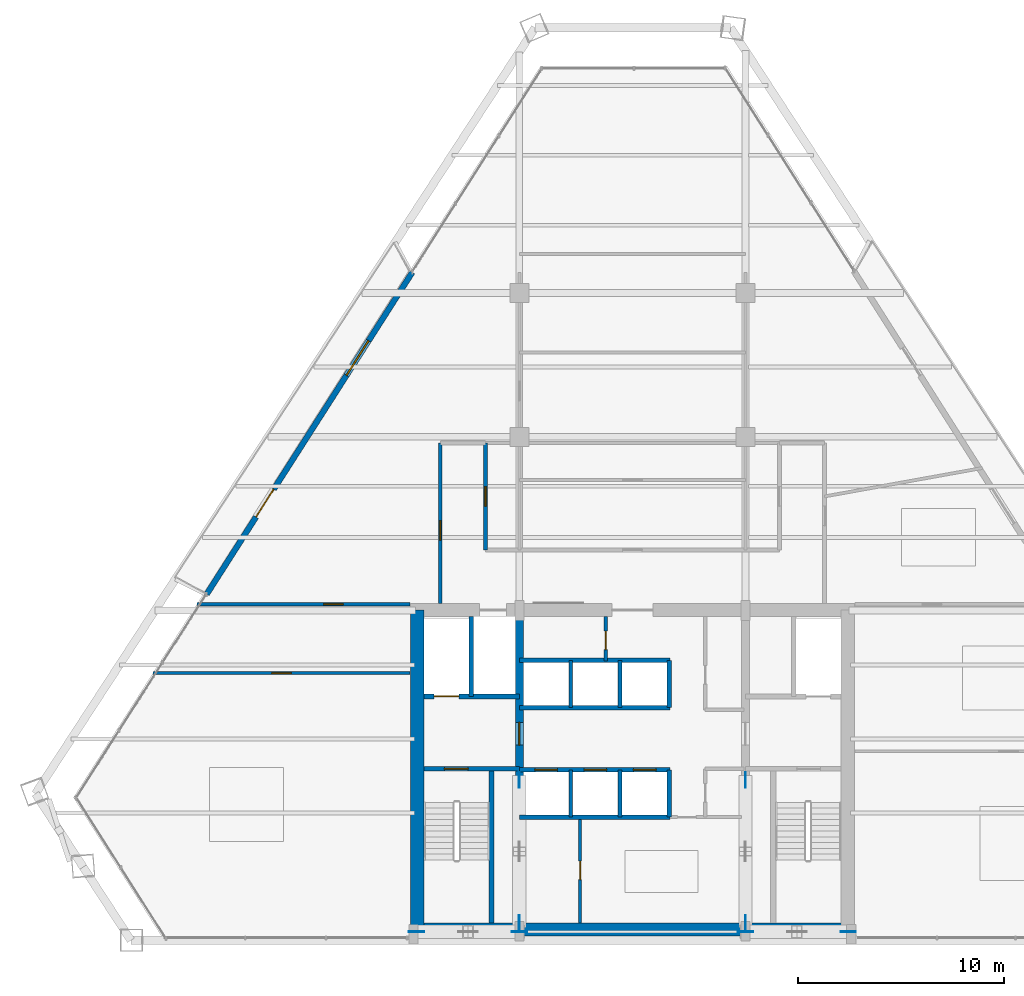
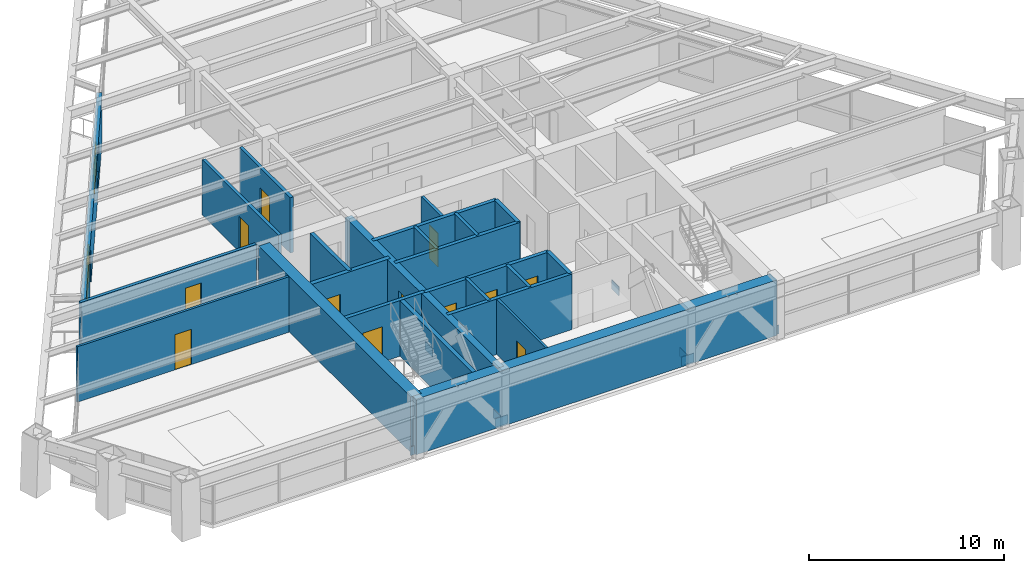
# One storey, part 11 of 15: 24 walls, 13 doors, 8 plates, 1 window, 14 openings.
"""IFC4 building model written with IfcOpenShell, lengths in metres."""

from ifc_helpers import new_model, si_unit, direction, frame, frame_2d, origin, origin_2d, place, context, subcontext, project, spatial, rectangle, extrude, source, transform, mapped, material, layer, layer_set, type_object, type_shapes, element, fill, save


model = new_model("IFC4")

# Units and contexts
model_context = context("Model", 3, precision=1e-05, world=origin(), true_north=direction((0.0, 1.0)))
body_context = subcontext(model_context, "Body", "Model", "MODEL_VIEW")
ifc_project = project(units=[si_unit("LENGTHUNIT", "METRE"), si_unit("AREAUNIT", "SQUARE_METRE"), si_unit("VOLUMEUNIT", "CUBIC_METRE"), si_unit("PLANEANGLEUNIT", "RADIAN"), si_unit("MASSUNIT", "GRAM", prefix="KILO")], contexts=[model_context])

# Site, building, storey
site_placement = place(None, origin())
site = spatial("IfcSite", under=ifc_project, at=site_placement, CompositionType="ELEMENT")
building_placement = place(site_placement, origin())
building = spatial("IfcBuilding", under=site, at=building_placement, Name="Varnakhor Terracotta Tower", CompositionType="ELEMENT")
storey_placement = place(building_placement, frame((0.0, 0.0, 158.89990234375)))
storey = spatial("IfcBuildingStorey", under=building, at=storey_placement, Name="L40", CompositionType="ELEMENT", Elevation=158.89990234375)

# Plates
ifc_material_1 = material(Name="Steel S460", Category="steel")
ifc_layer_1 = layer(ifc_material_1, 0.050048828125, Name="Steel S460")
ifc_layer_set_1 = layer_set([ifc_layer_1], Name="Steel S460")
plate_type = type_object("IfcPlateType", Name="PLT-GUSSET-50", PredefinedType="USERDEFINED", material=ifc_layer_set_1)
shared_shape_1 = source(origin(), body_context, "Body", "SweptSolid", [
    extrude(rectangle(XDim=0.75, YDim=0.0400390625, at=origin_2d()), origin(), (0.0, 0.0, 1.0), 0.550048828125),
])
type_shapes(plate_type, [shared_shape_1])
for number, where, z_axis, x_axis, name in (
    (1, (-10.5, 0.419921875, -0.0947265625), (0.0, 0.0, 1.0), (1.0, 0.0, 0.0), "L40 Core Brace Embed Plate CSWA"),
    (2, (-5.5, 0.419921875, -0.0947265625), (0.0, 0.0, 1.0), (1.0, 0.0, 0.0), "L40 Core Brace Embed Plate CSWB"),
    (3, (5.5, 0.419921875, -0.0947265625), (0.0, 0.0, 1.0), (1.0, 0.0, 0.0), "L40 Core Brace Embed Plate CSEA"),
    (4, (10.5, 0.419921875, -0.0947265625), (0.0, 0.0, 1.0), (1.0, 0.0, 0.0), "L40 Core Brace Embed Plate CSEB"),
    (5, (-5.5, 0.85009765625, -0.0947265625), (0.0, 0.0, 1.0), (0.0, 1.0, 0.0), "L40 Core Brace Embed Plate CWWA"),
    (6, (-5.5, 7.800048828125, -0.0947265625), (0.0, 0.0, 1.0), (0.0, 1.0, 0.0), "L40 Core Brace Embed Plate CWWB"),
    (7, (5.5, 0.85009765625, -0.0947265625), (0.0, 0.0, 1.0), (0.0, 1.0, 0.0), "L40 Core Brace Embed Plate CWEA"),
    (8, (5.5, 7.800048828125, -0.0947265625), (0.0, 0.0, 1.0), (0.0, 1.0, 0.0), "L40 Core Brace Embed Plate CWEB"),
):
    element("IfcPlate", number, at=place(storey_placement, frame(where, z_axis=z_axis, x_axis=x_axis)), inside=storey, type_object=plate_type, Name=name, ObjectType="GUSSET PLATE", PredefinedType="USERDEFINED", context=body_context, shape_type="MappedRepresentation", body=[
        mapped(shared_shape_1, transform((0.0, 0.0, 0.0), scale=1.0)),
    ])

# Walls
ifc_material_2 = material(Name="Concrete C50/60", Category="concrete")
ifc_layer_2 = layer(ifc_material_2, 0.64990234375, Name="Concrete C50/60")
ifc_layer_set_2 = layer_set([ifc_layer_2], Name="Concrete C50/60")
wall_type_1 = type_object("IfcWallType", Name="WAL-CORE-650", PredefinedType="SHEAR", material=ifc_layer_set_2)
wall_1_placement = place(storey_placement, frame((-10.64990234375, 0.52490234375, 0.0), z_axis=(0.0, 0.0, 1.0), x_axis=(1.0, 0.0, 0.0)))
element("IfcWall", 9, at=wall_1_placement, inside=storey, type_object=wall_type_1, Name="L40 South Core Shear Wall", PredefinedType="SHEAR", context=body_context, shape_type="SweptSolid", body=[
    extrude(rectangle(XDim=21.2998046875, YDim=0.64990234375, at=frame_2d((10.64990234375, 0.0))), origin(), (0.0, 0.0, 1.0), 3.47021484375),
])
wall_2_placement = place(storey_placement, frame((-10.47509765625, 0.52490234375, 0.0), z_axis=(0.0, 0.0, 1.0), x_axis=(0.0, 1.0, 0.0)))
element("IfcWall", 10, at=wall_2_placement, inside=storey, type_object=wall_type_1, Name="L40 West Core Shear Wall", PredefinedType="SHEAR", context=body_context, shape_type="SweptSolid", body=[
    extrude(rectangle(XDim=15.550048828125, YDim=0.64990234375, at=frame_2d((7.77490234375, 0.0))), origin(), (0.0, 0.0, 1.0), 3.47021484375),
])

# Wall, opening, door
ifc_layer_3 = layer(ifc_material_2, 0.39990234375, Name="Concrete C50/60")
ifc_layer_set_3 = layer_set([ifc_layer_3], Name="Concrete C50/60")
wall_type_2 = type_object("IfcWallType", Name="WAL-CORE-WEB-400", PredefinedType="SHEAR", material=ifc_layer_set_3)
wall_3_placement = place(storey_placement, frame((-5.5, 0.52490234375, 0.0), z_axis=(0.0, 0.0, 1.0), x_axis=(0.0, 1.0, 0.0)))
wall_3 = element("IfcWall", 11, at=wall_3_placement, inside=storey, type_object=wall_type_2, Name="L40 West Core Web Shear Wall", PredefinedType="SHEAR", context=body_context, shape_type="SweptSolid", body=[
    extrude(rectangle(XDim=15.550048828125, YDim=0.39990234375, at=frame_2d((7.77490234375, 0.0))), origin(), (0.0, 0.0, 1.0), 3.47021484375),
])
opening_1_placement = place(wall_3_placement, frame((8.97509765625, 0.0, 0.0)))
opening_1 = element("IfcOpeningElement", 12, at=opening_1_placement, cuts=wall_3, Name="Opening DR-25", PredefinedType="OPENING", context=body_context, shape_type="SweptSolid", body=[
    extrude(rectangle(XDim=1.10009765625, YDim=2.199951171875, at=frame_2d((0.550048828125, 1.10009765625))), frame((0.0, 0.2099609375, 0.0), z_axis=(0.0, -1.0, 0.0), x_axis=(1.0, 0.0, 0.0)), (0.0, 0.0, 1.0), 0.419921875),
])
ifc_material_3 = material(Name="Firefighting Lobby Self-Closing Fire Door", Category="steel")
door_type_1 = type_object("IfcDoorType", Name="DR-FFL-1100X2200", OperationType="NOTDEFINED", PredefinedType="DOOR", material=ifc_material_3)
shared_shape_2 = source(origin(), body_context, "Body", "SweptSolid", [
    extrude(rectangle(XDim=1.10009765625, YDim=2.199951171875, at=frame_2d((0.550048828125, 1.10009765625))), frame((0.0, 0.02490234375, 0.0), z_axis=(0.0, -1.0, 0.0), x_axis=(1.0, 0.0, 0.0)), (0.0, 0.0, 1.0), 0.050048828125),
])
type_shapes(door_type_1, [shared_shape_2])
door_1_placement = place(opening_1_placement, origin())
door_1 = element("IfcDoor", 13, at=door_1_placement, inside=storey, type_object=door_type_1, Name="L40 West Firefighting Lobby Door", OperationType="SINGLE_SWING_RIGHT", OverallHeight=2.199951171875, OverallWidth=1.10009765625, PredefinedType="DOOR", context=body_context, shape_type="MappedRepresentation", body=[
    mapped(shared_shape_2, transform((0.0, 0.0, 0.0), scale=1.0)),
])
fill(opening_1, door_1)

ifc_material_4 = material(Name="Fire-Rated Gypsum Stud Partition", Category="gypsum")
ifc_layer_4 = layer(ifc_material_4, 0.18505859375, Name="Fire-Rated Gypsum Stud Partition")
ifc_layer_set_4 = layer_set([ifc_layer_4], Name="Fire-Rated Gypsum Stud Partition")
wall_type_3 = type_object("IfcWallType", Name="WAL-CORR-185", PredefinedType="PARTITIONING", material=ifc_layer_set_4)
wall_4_placement = place(storey_placement, frame((-7.14990234375, 19.0, 0.0), z_axis=(0.0, 0.0, 1.0), x_axis=(0.0, 1.0, 0.0)))
wall_4 = element("IfcWall", 14, at=wall_4_placement, inside=storey, type_object=wall_type_3, Name="L40 West Gallery Inner Wall", PredefinedType="PARTITIONING", context=body_context, shape_type="SweptSolid", body=[
    extrude(rectangle(XDim=5.199951171875, YDim=0.18505859375, at=frame_2d((2.60009765625, 0.0))), origin(), (0.0, 0.0, 1.0), 3.462158203125),
])
opening_2_placement = place(wall_4_placement, frame((2.125, 0.0, 0.0)))
opening_2 = element("IfcOpeningElement", 15, at=opening_2_placement, cuts=wall_4, Name="Opening DR-94", PredefinedType="OPENING", context=body_context, shape_type="SweptSolid", body=[
    extrude(rectangle(XDim=0.949951171875, YDim=2.199951171875, at=frame_2d((0.47509765625, 1.10009765625))), frame((0.0, 0.1025390625, 0.0), z_axis=(0.0, -1.0, 0.0), x_axis=(1.0, 0.0, 0.0)), (0.0, 0.0, 1.0), 0.205078125),
])
ifc_material_5 = material(Name="Acoustic Glazed-Vision Timber Office Door", Category="wood")
door_type_2 = type_object("IfcDoorType", Name="DR-OFF-950X2200", OperationType="NOTDEFINED", PredefinedType="DOOR", material=ifc_material_5)
shared_shape_3 = source(origin(), body_context, "Body", "SweptSolid", [
    extrude(rectangle(XDim=0.949951171875, YDim=2.199951171875, at=frame_2d((0.47509765625, 1.10009765625))), frame((0.0, 0.02490234375, 0.0), z_axis=(0.0, -1.0, 0.0), x_axis=(1.0, 0.0, 0.0)), (0.0, 0.0, 1.0), 0.050048828125),
])
type_shapes(door_type_2, [shared_shape_3])
door_2_placement = place(opening_2_placement, origin())
door_2 = element("IfcDoor", 16, at=door_2_placement, inside=storey, type_object=door_type_2, Name="L40 Games Amenity Room B8 Door", OperationType="SINGLE_SWING_LEFT", OverallHeight=2.199951171875, OverallWidth=0.949951171875, PredefinedType="DOOR", context=body_context, shape_type="MappedRepresentation", body=[
    mapped(shared_shape_3, transform((0.0, 0.0, 0.0), scale=1.0)),
])
fill(opening_2, door_2)

wall_5_placement = place(storey_placement, frame((-9.35009765625, 16.39990234375, 0.0), z_axis=(0.0, 0.0, 1.0), x_axis=(0.0, 1.0, 0.0)))
wall_5 = element("IfcWall", 17, at=wall_5_placement, inside=storey, type_object=wall_type_3, Name="L40 West Gallery Outer Wall", PredefinedType="PARTITIONING", context=body_context, shape_type="SweptSolid", body=[
    extrude(rectangle(XDim=7.800048828125, YDim=0.18505859375, at=frame_2d((3.89990234375, 0.0))), origin(), (0.0, 0.0, 1.0), 3.462158203125),
])
opening_3_placement = place(wall_5_placement, frame((3.069091796875, 0.0, 0.0)))
opening_3 = element("IfcOpeningElement", 18, at=opening_3_placement, cuts=wall_5, Name="Opening DR-94", PredefinedType="OPENING", context=body_context, shape_type="SweptSolid", body=[
    extrude(rectangle(XDim=0.949951171875, YDim=2.199951171875, at=frame_2d((0.47509765625, 1.10009765625))), frame((0.0, 0.1025390625, 0.0), z_axis=(0.0, -1.0, 0.0), x_axis=(1.0, 0.0, 0.0)), (0.0, 0.0, 1.0), 0.205078125),
])
door_3_placement = place(opening_3_placement, origin())
door_3 = element("IfcDoor", 19, at=door_3_placement, inside=storey, type_object=door_type_2, Name="L40 West Wing Door", OperationType="SINGLE_SWING_LEFT", OverallHeight=2.199951171875, OverallWidth=0.949951171875, PredefinedType="DOOR", context=body_context, shape_type="MappedRepresentation", body=[
    mapped(shared_shape_3, transform((0.0, 0.0, 0.0), scale=1.0)),
])
fill(opening_3, door_3)

wall_6_placement = place(storey_placement, frame((-21.18603515625, 16.35009765625, 0.0), z_axis=(0.0, 0.0, 1.0), x_axis=(1.0, 0.0, 0.0)))
wall_6 = element("IfcWall", 20, at=wall_6_placement, inside=storey, type_object=wall_type_3, Name="L40 South West Entry Wall", PredefinedType="PARTITIONING", context=body_context, shape_type="SweptSolid", body=[
    extrude(rectangle(XDim=10.365966796875, YDim=0.18505859375, at=frame_2d((5.18310546875, 0.0))), origin(), (0.0, 0.0, 1.0), 3.462158203125),
])
opening_4_placement = place(wall_6_placement, frame((6.160888671875, 0.0, 0.0)))
opening_4 = element("IfcOpeningElement", 21, at=opening_4_placement, cuts=wall_6, Name="Opening DR-94", PredefinedType="OPENING", context=body_context, shape_type="SweptSolid", body=[
    extrude(rectangle(XDim=0.949951171875, YDim=2.199951171875, at=frame_2d((0.47509765625, 1.10009765625))), frame((0.0, 0.1025390625, 0.0), z_axis=(0.0, -1.0, 0.0), x_axis=(1.0, 0.0, 0.0)), (0.0, 0.0, 1.0), 0.205078125),
])
door_4_placement = place(opening_4_placement, origin())
door_4 = element("IfcDoor", 22, at=door_4_placement, inside=storey, type_object=door_type_2, Name="L40 SW Suite Door", OperationType="SINGLE_SWING_LEFT", OverallHeight=2.199951171875, OverallWidth=0.949951171875, PredefinedType="DOOR", context=body_context, shape_type="MappedRepresentation", body=[
    mapped(shared_shape_3, transform((0.0, 0.0, 0.0), scale=1.0)),
])
fill(opening_4, door_4)

# Wall, openings, door, window
ifc_material_6 = material(Name="Extruded Architectural Terracotta Assembly", Category="masonry")
ifc_layer_5 = layer(ifc_material_6, 0.280029296875, Name="Extruded Architectural Terracotta Assembly")
ifc_layer_set_5 = layer_set([ifc_layer_5], Name="Extruded Architectural Terracotta Assembly")
wall_type_4 = type_object("IfcWallType", Name="WAL-EXT-TERRACOTTA-280", PredefinedType="SOLIDWALL", material=ifc_layer_set_5)
wall_7_placement = place(storey_placement, frame((-20.7177734375, 16.841796875, 0.0), z_axis=(0.0, 0.0, 1.0), x_axis=(0.538291588768, 0.842758663831, 0.0)))
wall_7 = element("IfcWall", 23, at=wall_7_placement, inside=storey, type_object=wall_type_4, Name="L40 W Loggia Insulated Terracotta Wall", PredefinedType="SOLIDWALL", context=body_context, shape_type="SweptSolid", body=[
    extrude(rectangle(XDim=18.58642578125, YDim=0.280029296875, at=frame_2d((9.293212890625, 0.0))), origin(), (0.0, 0.0, 1.0), 3.050048828125),
])
opening_5_placement = place(wall_7_placement, frame((4.460693359375, 0.0, 0.0)))
opening_5 = element("IfcOpeningElement", 24, at=opening_5_placement, cuts=wall_7, Name="Opening DR-62", PredefinedType="OPENING", context=body_context, shape_type="SweptSolid", body=[
    extrude(rectangle(XDim=1.60009765625, YDim=2.35009765625, at=frame_2d((0.800048828125, 1.175048828125))), frame((0.0, 0.14990234375, 0.0), z_axis=(0.0, -1.0, 0.0), x_axis=(1.0, 0.0, 0.0)), (0.0, 0.0, 1.0), 0.300048828125),
])
opening_6_placement = place(wall_7_placement, frame((12.638916015625, 0.0, 0.89990234375)))
opening_6 = element("IfcOpeningElement", 25, at=opening_6_placement, cuts=wall_7, Name="Opening WN-26", PredefinedType="OPENING", context=body_context, shape_type="SweptSolid", body=[
    extrude(rectangle(XDim=2.0, YDim=1.85009765625, at=frame_2d((1.0, 0.925048828125))), frame((0.0, 0.14990234375, 0.0), z_axis=(0.0, -1.0, 0.0), x_axis=(1.0, 0.0, 0.0)), (0.0, 0.0, 1.0), 0.300048828125),
])
ifc_material_7 = material(Name="Thermally Broken Sliding Glass Loggia Door", Category="glass")
door_type_3 = type_object("IfcDoorType", Name="DR-EXT-LOGGIA-1600X2350", OperationType="NOTDEFINED", PredefinedType="DOOR", material=ifc_material_7)
shared_shape_4 = source(origin(), body_context, "Body", "SweptSolid", [
    extrude(rectangle(XDim=1.60009765625, YDim=2.35009765625, at=frame_2d((0.800048828125, 1.175048828125))), frame((0.0, 0.02490234375, 0.0), z_axis=(0.0, -1.0, 0.0), x_axis=(1.0, 0.0, 0.0)), (0.0, 0.0, 1.0), 0.050048828125),
])
type_shapes(door_type_3, [shared_shape_4])
door_5_placement = place(opening_5_placement, origin())
door_5 = element("IfcDoor", 26, at=door_5_placement, inside=storey, type_object=door_type_3, Name="L40 W Recessed Loggia Sliding Door", OperationType="SLIDING_TO_LEFT", OverallHeight=2.35009765625, OverallWidth=1.60009765625, PredefinedType="DOOR", context=body_context, shape_type="MappedRepresentation", body=[
    mapped(shared_shape_4, transform((0.0, 0.0, 0.0), scale=1.0)),
])
fill(opening_5, door_5)
ifc_material_8 = material(Name="Solar-Control Low-E Insulated Glass Unit", Category="glass")
window_type = type_object("IfcWindowType", Name="WIN-OFF-2200X2100", PartitioningType="SINGLE_PANEL", PredefinedType="WINDOW", material=ifc_material_8)
shared_shape_5 = source(origin(), body_context, "Body", "SweptSolid", [
    extrude(rectangle(XDim=2.0, YDim=1.85009765625, at=frame_2d((1.0, 0.925048828125))), frame((0.0, 0.030029296875, 0.0), z_axis=(0.0, -1.0, 0.0), x_axis=(1.0, 0.0, 0.0)), (0.0, 0.0, 1.0), 0.06005859375),
])
type_shapes(window_type, [shared_shape_5])
window_placement = place(opening_6_placement, origin())
window = element("IfcWindow", 27, at=window_placement, inside=storey, type_object=window_type, Name="L40 W Facet Punched Window", OverallHeight=1.85009765625, OverallWidth=2.0, PartitioningType="SINGLE_PANEL", PredefinedType="WINDOW", context=body_context, shape_type="MappedRepresentation", body=[
    mapped(shared_shape_5, transform((0.0, 0.0, 0.0), scale=1.0)),
])
fill(opening_6, window)

# Wall, opening, door
ifc_material_9 = material(Name="Concrete C40/50", Category="concrete")
ifc_layer_6 = layer(ifc_material_9, 0.219970703125, Name="Concrete C40/50")
ifc_layer_set_6 = layer_set([ifc_layer_6], Name="Concrete C40/50")
wall_type_5 = type_object("IfcWallType", Name="WAL-FFLOBBY-220", PredefinedType="SOLIDWALL", material=ifc_layer_set_6)
wall_8_placement = place(storey_placement, frame((-5.5, 8.35009765625, 0.0), z_axis=(0.0, 0.0, 1.0), x_axis=(-1.0, 0.0, 0.0)))
wall_8 = element("IfcWall", 28, at=wall_8_placement, inside=storey, type_object=wall_type_5, Name="L40 West Firefighting Lobby Stair Wall", PredefinedType="SOLIDWALL", context=body_context, shape_type="SweptSolid", body=[
    extrude(rectangle(XDim=4.64990234375, YDim=0.219970703125, at=frame_2d((2.324951171875, 0.0))), origin(), (0.0, 0.0, 1.0), 3.47021484375),
])
opening_7_placement = place(wall_8_placement, frame((2.5, 0.0, 0.0)))
opening_7 = element("IfcOpeningElement", 29, at=opening_7_placement, cuts=wall_8, Name="Opening DR-34", PredefinedType="OPENING", context=body_context, shape_type="SweptSolid", body=[
    extrude(rectangle(XDim=1.14990234375, YDim=2.199951171875, at=frame_2d((0.574951171875, 1.10009765625))), frame((0.0, 0.1201171875, 0.0), z_axis=(0.0, -1.0, 0.0), x_axis=(1.0, 0.0, 0.0)), (0.0, 0.0, 1.0), 0.239990234375),
])
ifc_material_10 = material(Name="Self-Closing Smoke-Sealed Steel Fire Door", Category="steel")
door_type_4 = type_object("IfcDoorType", Name="DR-STAIR-1150X2200", OperationType="NOTDEFINED", PredefinedType="DOOR", material=ifc_material_10)
shared_shape_6 = source(origin(), body_context, "Body", "SweptSolid", [
    extrude(rectangle(XDim=1.14990234375, YDim=2.199951171875, at=frame_2d((0.574951171875, 1.10009765625))), frame((0.0, 0.02490234375, 0.0), z_axis=(0.0, -1.0, 0.0), x_axis=(1.0, 0.0, 0.0)), (0.0, 0.0, 1.0), 0.050048828125),
])
type_shapes(door_type_4, [shared_shape_6])
door_6_placement = place(opening_7_placement, origin())
door_6 = element("IfcDoor", 30, at=door_6_placement, inside=storey, type_object=door_type_4, Name="L40 Exit Stair ST-1 Fire Door", OperationType="SINGLE_SWING_LEFT", OverallHeight=2.199951171875, OverallWidth=1.14990234375, PredefinedType="DOOR", context=body_context, shape_type="MappedRepresentation", body=[
    mapped(shared_shape_6, transform((0.0, 0.0, 0.0), scale=1.0)),
])
fill(opening_7, door_6)

ifc_material_11 = material(Name="Acoustic Metal-Stud Partition", Category="gypsum")
ifc_layer_7 = layer(ifc_material_11, 0.139892578125, Name="Acoustic Metal-Stud Partition")
ifc_layer_set_7 = layer_set([ifc_layer_7], Name="Acoustic Metal-Stud Partition")
wall_type_6 = type_object("IfcWallType", Name="WAL-PART-140", PredefinedType="PARTITIONING", material=ifc_layer_set_7)
wall_9_placement = place(storey_placement, frame((-23.325927734375, 13.0, 0.0), z_axis=(0.0, 0.0, 1.0), x_axis=(1.0, 0.0, 0.0)))
wall_9 = element("IfcWall", 31, at=wall_9_placement, inside=storey, type_object=wall_type_6, Name="L40 West Wing Cut 1", PredefinedType="PARTITIONING", context=body_context, shape_type="SweptSolid", body=[
    extrude(rectangle(XDim=12.505859375, YDim=0.139892578125, at=frame_2d((6.2529296875, 0.0))), origin(), (0.0, 0.0, 1.0), 3.462158203125),
])
opening_8_placement = place(wall_9_placement, frame((5.785888671875, 0.0, 0.0)))
opening_8 = element("IfcOpeningElement", 32, at=opening_8_placement, cuts=wall_9, Name="Opening DR-94", PredefinedType="OPENING", context=body_context, shape_type="SweptSolid", body=[
    extrude(rectangle(XDim=0.949951171875, YDim=2.199951171875, at=frame_2d((0.47509765625, 1.10009765625))), frame((0.0, 0.080078125, 0.0), z_axis=(0.0, -1.0, 0.0), x_axis=(1.0, 0.0, 0.0)), (0.0, 0.0, 1.0), 0.159912109375),
])
door_7_placement = place(opening_8_placement, origin())
door_7 = element("IfcDoor", 33, at=door_7_placement, inside=storey, type_object=door_type_2, Name="L40 Clinic First Aid Room Door", OperationType="SINGLE_SWING_RIGHT", OverallHeight=2.199951171875, OverallWidth=0.949951171875, PredefinedType="DOOR", context=body_context, shape_type="MappedRepresentation", body=[
    mapped(shared_shape_3, transform((0.0, 0.0, 0.0), scale=1.0)),
])
fill(opening_8, door_7)

# Walls
ifc_layer_8 = layer(ifc_material_9, 0.179931640625, Name="Concrete C40/50")
ifc_layer_set_8 = layer_set([ifc_layer_8], Name="Concrete C40/50")
wall_type_7 = type_object("IfcWallType", Name="WAL-SHAFT-180", PredefinedType="SOLIDWALL", material=ifc_layer_set_8)
for number, where, z_axis, x_axis, name in (
    (34, (-3.0, 6.0, 0.0), (0.0, 0.0, 1.0), (0.0, 1.0, 0.0), "L40 PL-2A Divider"),
    (35, (-0.60009765625, 6.0, 0.0), (0.0, 0.0, 1.0), (0.0, 1.0, 0.0), "L40 PL-2B Divider"),
    (36, (-3.0, 11.320068359375, 0.0), (0.0, 0.0, 1.0), (0.0, 1.0, 0.0), "L40 PL-3A Divider"),
    (37, (-0.60009765625, 11.320068359375, 0.0), (0.0, 0.0, 1.0), (0.0, 1.0, 0.0), "L40 PL-3B Divider"),
):
    element("IfcWall", number, at=place(storey_placement, frame(where, z_axis=z_axis, x_axis=x_axis)), inside=storey, type_object=wall_type_7, Name=name, PredefinedType="SOLIDWALL", context=body_context, shape_type="SweptSolid", body=[
        extrude(rectangle(XDim=2.300048828125, YDim=0.179931640625, at=frame_2d((1.14990234375, 0.0))), origin(), (0.0, 0.0, 1.0), 3.47021484375),
    ])
ifc_layer_9 = layer(ifc_material_9, 0.219970703125, Name="Concrete C40/50")
ifc_layer_set_9 = layer_set([ifc_layer_9], Name="Concrete C40/50")
wall_type_8 = type_object("IfcWallType", Name="WAL-SHAFT-220", PredefinedType="SOLIDWALL", material=ifc_layer_set_9)
wall_10_placement = place(storey_placement, frame((-7.840087890625, 11.8701171875, 0.0), z_axis=(0.0, 0.0, 1.0), x_axis=(0.0, 1.0, 0.0)))
element("IfcWall", 38, at=wall_10_placement, inside=storey, type_object=wall_type_8, Name="L40 Lift FFL-1 and SVL-1 Divider Wall", PredefinedType="SOLIDWALL", context=body_context, shape_type="SweptSolid", body=[
    extrude(rectangle(XDim=3.8798828125, YDim=0.219970703125, at=frame_2d((1.93994140625, 0.0))), origin(), (0.0, 0.0, 1.0), 3.47021484375),
])
wall_11_placement = place(storey_placement, frame((-5.5, 6.0, 0.0), z_axis=(0.0, 0.0, 1.0), x_axis=(1.0, 0.0, 0.0)))
element("IfcWall", 39, at=wall_11_placement, inside=storey, type_object=wall_type_8, Name="L40 Bank 2 South Shaft Wall", PredefinedType="SOLIDWALL", context=body_context, shape_type="SweptSolid", body=[
    extrude(rectangle(XDim=7.320068359375, YDim=0.219970703125, at=frame_2d((3.66015625, 0.0))), origin(), (0.0, 0.0, 1.0), 3.47021484375),
])

# Wall, openings, doors
wall_12_placement = place(storey_placement, frame((-5.5, 8.300048828125, 0.0), z_axis=(0.0, 0.0, 1.0), x_axis=(1.0, 0.0, 0.0)))
wall_12 = element("IfcWall", 40, at=wall_12_placement, inside=storey, type_object=wall_type_8, Name="L40 Bank 2 North Shaft Wall", PredefinedType="SOLIDWALL", context=body_context, shape_type="SweptSolid", body=[
    extrude(rectangle(XDim=7.320068359375, YDim=0.219970703125, at=frame_2d((3.66015625, 0.0))), origin(), (0.0, 0.0, 1.0), 3.47021484375),
])
opening_9_placement = place(wall_12_placement, frame((0.75, 0.0, 0.0)))
opening_9 = element("IfcOpeningElement", 41, at=opening_9_placement, cuts=wall_12, Name="Opening LD-01", PredefinedType="OPENING", context=body_context, shape_type="SweptSolid", body=[
    extrude(rectangle(XDim=1.10009765625, YDim=2.199951171875, at=frame_2d((0.550048828125, 1.10009765625))), frame((0.0, 0.1201171875, 0.0), z_axis=(0.0, -1.0, 0.0), x_axis=(1.0, 0.0, 0.0)), (0.0, 0.0, 1.0), 0.239990234375),
])
opening_10_placement = place(wall_12_placement, frame((3.14990234375, 0.0, 0.0)))
opening_10 = element("IfcOpeningElement", 42, at=opening_10_placement, cuts=wall_12, Name="Opening LD-01", PredefinedType="OPENING", context=body_context, shape_type="SweptSolid", body=[
    extrude(rectangle(XDim=1.10009765625, YDim=2.199951171875, at=frame_2d((0.550048828125, 1.10009765625))), frame((0.0, 0.1201171875, 0.0), z_axis=(0.0, -1.0, 0.0), x_axis=(1.0, 0.0, 0.0)), (0.0, 0.0, 1.0), 0.239990234375),
])
opening_11_placement = place(wall_12_placement, frame((5.550048828125, 0.0, 0.0)))
opening_11 = element("IfcOpeningElement", 43, at=opening_11_placement, cuts=wall_12, Name="Opening LD-01", PredefinedType="OPENING", context=body_context, shape_type="SweptSolid", body=[
    extrude(rectangle(XDim=1.10009765625, YDim=2.199951171875, at=frame_2d((0.550048828125, 1.10009765625))), frame((0.0, 0.1201171875, 0.0), z_axis=(0.0, -1.0, 0.0), x_axis=(1.0, 0.0, 0.0)), (0.0, 0.0, 1.0), 0.239990234375),
])
ifc_material_12 = material(Name="Brushed Stainless Steel Sliding Lift Landing Door", Category="steel")
door_type_5 = type_object("IfcDoorType", Name="LD-PASS-1100X2200", OperationType="NOTDEFINED", PredefinedType="DOOR", material=ifc_material_12)
shared_shape_7 = source(origin(), body_context, "Body", "SweptSolid", [
    extrude(rectangle(XDim=1.10009765625, YDim=2.199951171875, at=frame_2d((0.550048828125, 1.10009765625))), frame((0.0, 0.02490234375, 0.0), z_axis=(0.0, -1.0, 0.0), x_axis=(1.0, 0.0, 0.0)), (0.0, 0.0, 1.0), 0.050048828125),
])
type_shapes(door_type_5, [shared_shape_7])
door_8_placement = place(opening_9_placement, origin())
door_8 = element("IfcDoor", 44, at=door_8_placement, inside=storey, type_object=door_type_5, Name="L40 Passenger Lift PL-2A Landing Door", OperationType="SLIDING_TO_LEFT", OverallHeight=2.199951171875, OverallWidth=1.10009765625, PredefinedType="DOOR", context=body_context, shape_type="MappedRepresentation", body=[
    mapped(shared_shape_7, transform((0.0, 0.0, 0.0), scale=1.0)),
])
fill(opening_9, door_8)
door_9_placement = place(opening_10_placement, origin())
door_9 = element("IfcDoor", 45, at=door_9_placement, inside=storey, type_object=door_type_5, Name="L40 Passenger Lift PL-2B Landing Door", OperationType="SLIDING_TO_LEFT", OverallHeight=2.199951171875, OverallWidth=1.10009765625, PredefinedType="DOOR", context=body_context, shape_type="MappedRepresentation", body=[
    mapped(shared_shape_7, transform((0.0, 0.0, 0.0), scale=1.0)),
])
fill(opening_10, door_9)
door_10_placement = place(opening_11_placement, origin())
door_10 = element("IfcDoor", 46, at=door_10_placement, inside=storey, type_object=door_type_5, Name="L40 Passenger Lift PL-2C Landing Door", OperationType="SLIDING_TO_LEFT", OverallHeight=2.199951171875, OverallWidth=1.10009765625, PredefinedType="DOOR", context=body_context, shape_type="MappedRepresentation", body=[
    mapped(shared_shape_7, transform((0.0, 0.0, 0.0), scale=1.0)),
])
fill(opening_11, door_10)

# Walls
wall_13_placement = place(storey_placement, frame((1.800048828125, 6.0, 0.0), z_axis=(0.0, 0.0, 1.0), x_axis=(0.0, 1.0, 0.0)))
element("IfcWall", 47, at=wall_13_placement, inside=storey, type_object=wall_type_8, Name="L40 Bank 2 East Shaft Wall", PredefinedType="SOLIDWALL", context=body_context, shape_type="SweptSolid", body=[
    extrude(rectangle(XDim=2.300048828125, YDim=0.219970703125, at=frame_2d((1.14990234375, 0.0))), origin(), (0.0, 0.0, 1.0), 3.47021484375),
])
for number, where, z_axis, x_axis, name in (
    (48, (-5.5, 11.320068359375, 0.0), (0.0, 0.0, 1.0), (1.0, 0.0, 0.0), "L40 Bank 3 South Shaft Wall"),
    (49, (-5.5, 13.6201171875, 0.0), (0.0, 0.0, 1.0), (1.0, 0.0, 0.0), "L40 Bank 3 North Shaft Wall"),
):
    element("IfcWall", number, at=place(storey_placement, frame(where, z_axis=z_axis, x_axis=x_axis)), inside=storey, type_object=wall_type_8, Name=name, PredefinedType="SOLIDWALL", context=body_context, shape_type="SweptSolid", body=[
        extrude(rectangle(XDim=7.320068359375, YDim=0.219970703125, at=frame_2d((3.66015625, 0.0))), origin(), (0.0, 0.0, 1.0), 3.47021484375),
    ])
wall_14_placement = place(storey_placement, frame((1.800048828125, 11.320068359375, 0.0), z_axis=(0.0, 0.0, 1.0), x_axis=(0.0, 1.0, 0.0)))
element("IfcWall", 50, at=wall_14_placement, inside=storey, type_object=wall_type_8, Name="L40 Bank 3 East Shaft Wall", PredefinedType="SOLIDWALL", context=body_context, shape_type="SweptSolid", body=[
    extrude(rectangle(XDim=2.300048828125, YDim=0.219970703125, at=frame_2d((1.14990234375, 0.0))), origin(), (0.0, 0.0, 1.0), 3.47021484375),
])
ifc_layer_10 = layer(ifc_material_9, 0.25, Name="Concrete C40/50")
ifc_layer_set_10 = layer_set([ifc_layer_10], Name="Concrete C40/50")
wall_type_9 = type_object("IfcWallType", Name="WAL-SHAFT-250", PredefinedType="SOLIDWALL", material=ifc_layer_set_10)
wall_15_placement = place(storey_placement, frame((-6.85009765625, 0.85009765625, 0.0), z_axis=(0.0, 0.0, 1.0), x_axis=(0.0, 1.0, 0.0)))
element("IfcWall", 51, at=wall_15_placement, inside=storey, type_object=wall_type_9, Name="L40 Stair ST-1 Bearing Shaft Wall", PredefinedType="SOLIDWALL", context=body_context, shape_type="SweptSolid", body=[
    extrude(rectangle(XDim=7.5, YDim=0.25, at=frame_2d((3.75, 0.0))), origin(), (0.0, 0.0, 1.0), 3.47021484375),
])

# Wall, opening, door
wall_16_placement = place(storey_placement, frame((-5.5, 11.8701171875, 0.0), z_axis=(0.0, 0.0, 1.0), x_axis=(-1.0, 0.0, 0.0)))
wall_16 = element("IfcWall", 52, at=wall_16_placement, inside=storey, type_object=wall_type_9, Name="L40 Lift FFL-1 Shaft Front Wall", PredefinedType="SOLIDWALL", context=body_context, shape_type="SweptSolid", body=[
    extrude(rectangle(XDim=4.64990234375, YDim=0.25, at=frame_2d((2.324951171875, 0.0))), origin(), (0.0, 0.0, 1.0), 3.47021484375),
])
opening_12_placement = place(wall_16_placement, frame((2.949951171875, 0.0, 0.0)))
opening_12 = element("IfcOpeningElement", 53, at=opening_12_placement, cuts=wall_16, Name="Opening LD-02", PredefinedType="OPENING", context=body_context, shape_type="SweptSolid", body=[
    extrude(rectangle(XDim=1.199951171875, YDim=2.25, at=frame_2d((0.60009765625, 1.125))), frame((0.0, 0.135009765625, 0.0), z_axis=(0.0, -1.0, 0.0), x_axis=(1.0, 0.0, 0.0)), (0.0, 0.0, 1.0), 0.27001953125),
])
ifc_material_13 = material(Name="Firefighting Stretcher Sliding Lift Landing Door", Category="steel")
door_type_6 = type_object("IfcDoorType", Name="LD-FFL-1200X2250", OperationType="NOTDEFINED", PredefinedType="DOOR", material=ifc_material_13)
shared_shape_8 = source(origin(), body_context, "Body", "SweptSolid", [
    extrude(rectangle(XDim=1.199951171875, YDim=2.25, at=frame_2d((0.60009765625, 1.125))), frame((0.0, 0.02490234375, 0.0), z_axis=(0.0, -1.0, 0.0), x_axis=(1.0, 0.0, 0.0)), (0.0, 0.0, 1.0), 0.050048828125),
])
type_shapes(door_type_6, [shared_shape_8])
door_11_placement = place(opening_12_placement, origin())
door_11 = element("IfcDoor", 54, at=door_11_placement, inside=storey, type_object=door_type_6, Name="L40 Firefighting Lift FFL-1 Landing Door", OperationType="SLIDING_TO_LEFT", OverallHeight=2.25, OverallWidth=1.199951171875, PredefinedType="DOOR", context=body_context, shape_type="MappedRepresentation", body=[
    mapped(shared_shape_8, transform((0.0, 0.0, 0.0), scale=1.0)),
])
fill(opening_12, door_11)

ifc_material_14 = material(Name="Acoustic Fire-Rated Partition", Category="gypsum")
ifc_layer_11 = layer(ifc_material_14, 0.139892578125, Name="Acoustic Fire-Rated Partition")
ifc_layer_set_11 = layer_set([ifc_layer_11], Name="Acoustic Fire-Rated Partition")
wall_type_10 = type_object("IfcWallType", Name="WAL-TENANCY-140", PredefinedType="PARTITIONING", material=ifc_layer_set_11)
wall_17_placement = place(storey_placement, frame((-2.550048828125, 0.85009765625, 0.0), z_axis=(0.0, 0.0, 1.0), x_axis=(0.0, 1.0, 0.0)))
wall_17 = element("IfcWall", 55, at=wall_17_placement, inside=storey, type_object=wall_type_10, Name="L40 Reclaimed Core Bay Split Wall", PredefinedType="PARTITIONING", context=body_context, shape_type="SweptSolid", body=[
    extrude(rectangle(XDim=5.02978515625, YDim=0.139892578125, at=frame_2d((2.514892578125, 0.0))), origin(), (0.0, 0.0, 1.0), 3.462158203125),
])
opening_13_placement = place(wall_17_placement, frame((2.10009765625, 0.0, 0.0)))
opening_13 = element("IfcOpeningElement", 56, at=opening_13_placement, cuts=wall_17, Name="Opening DR-67", PredefinedType="OPENING", context=body_context, shape_type="SweptSolid", body=[
    extrude(rectangle(XDim=0.89990234375, YDim=2.10009765625, at=frame_2d((0.449951171875, 1.050048828125))), frame((0.0, 0.080078125, 0.0), z_axis=(0.0, -1.0, 0.0), x_axis=(1.0, 0.0, 0.0)), (0.0, 0.0, 1.0), 0.159912109375),
])
ifc_material_15 = material(Name="Steel Service Riser Fire Door", Category="steel")
door_type_7 = type_object("IfcDoorType", Name="DR-RISER-900X2100", OperationType="NOTDEFINED", PredefinedType="DOOR", material=ifc_material_15)
shared_shape_9 = source(origin(), body_context, "Body", "SweptSolid", [
    extrude(rectangle(XDim=0.89990234375, YDim=2.10009765625, at=frame_2d((0.449951171875, 1.050048828125))), frame((0.0, 0.02490234375, 0.0), z_axis=(0.0, -1.0, 0.0), x_axis=(1.0, 0.0, 0.0)), (0.0, 0.0, 1.0), 0.050048828125),
])
type_shapes(door_type_7, [shared_shape_9])
door_12_placement = place(opening_13_placement, origin())
door_12 = element("IfcDoor", 57, at=door_12_placement, inside=storey, type_object=door_type_7, Name="L40 Core Inner Service Door", OperationType="SINGLE_SWING_RIGHT", OverallHeight=2.10009765625, OverallWidth=0.89990234375, PredefinedType="DOOR", context=body_context, shape_type="MappedRepresentation", body=[
    mapped(shared_shape_9, transform((0.0, 0.0, 0.0), scale=1.0)),
])
fill(opening_13, door_12)

ifc_layer_12 = layer(ifc_material_14, 0.1650390625, Name="Acoustic Fire-Rated Partition")
ifc_layer_set_12 = layer_set([ifc_layer_12], Name="Acoustic Fire-Rated Partition")
wall_type_11 = type_object("IfcWallType", Name="WAL-TENANCY-165", PredefinedType="PARTITIONING", material=ifc_layer_set_12)
wall_18_placement = place(storey_placement, frame((-1.300048828125, 13.60009765625, 0.0), z_axis=(0.0, 0.0, 1.0), x_axis=(0.0, 1.0, 0.0)))
wall_18 = element("IfcWall", 58, at=wall_18_placement, inside=storey, type_object=wall_type_11, Name="L40 Male Restroom Wall", PredefinedType="PARTITIONING", context=body_context, shape_type="SweptSolid", body=[
    extrude(rectangle(XDim=2.14990234375, YDim=0.1650390625, at=frame_2d((1.074951171875, 0.0))), origin(), (0.0, 0.0, 1.0), 3.462158203125),
])
opening_14_placement = place(wall_18_placement, frame((0.550048828125, 0.0, 0.0)))
opening_14 = element("IfcOpeningElement", 59, at=opening_14_placement, cuts=wall_18, Name="Opening DR-67", PredefinedType="OPENING", context=body_context, shape_type="SweptSolid", body=[
    extrude(rectangle(XDim=0.89990234375, YDim=2.10009765625, at=frame_2d((0.449951171875, 1.050048828125))), frame((0.0, 0.092529296875, 0.0), z_axis=(0.0, -1.0, 0.0), x_axis=(1.0, 0.0, 0.0)), (0.0, 0.0, 1.0), 0.18505859375),
])
door_13_placement = place(opening_14_placement, origin())
door_13 = element("IfcDoor", 60, at=door_13_placement, inside=storey, type_object=door_type_7, Name="L40 Male WC Door", OperationType="SINGLE_SWING_RIGHT", OverallHeight=2.10009765625, OverallWidth=0.89990234375, PredefinedType="DOOR", context=body_context, shape_type="MappedRepresentation", body=[
    mapped(shared_shape_9, transform((0.0, 0.0, 0.0), scale=1.0)),
])
fill(opening_14, door_13)

save(model, "model.ifc")
